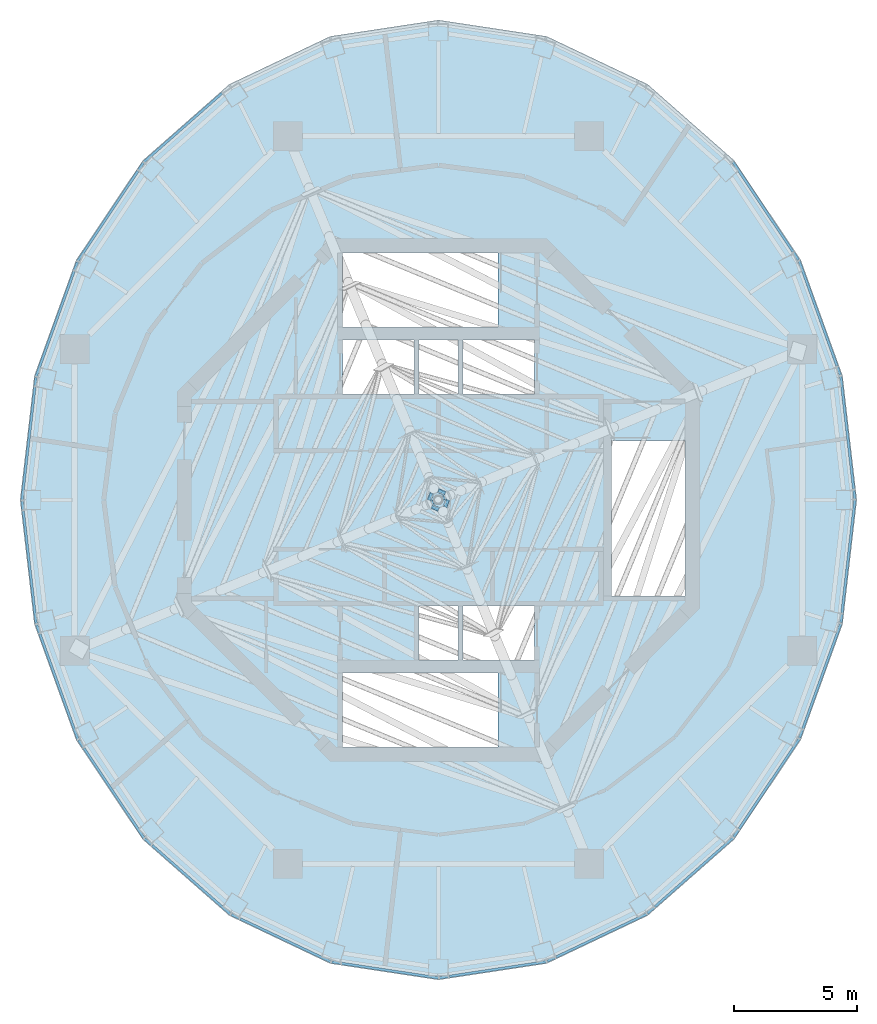
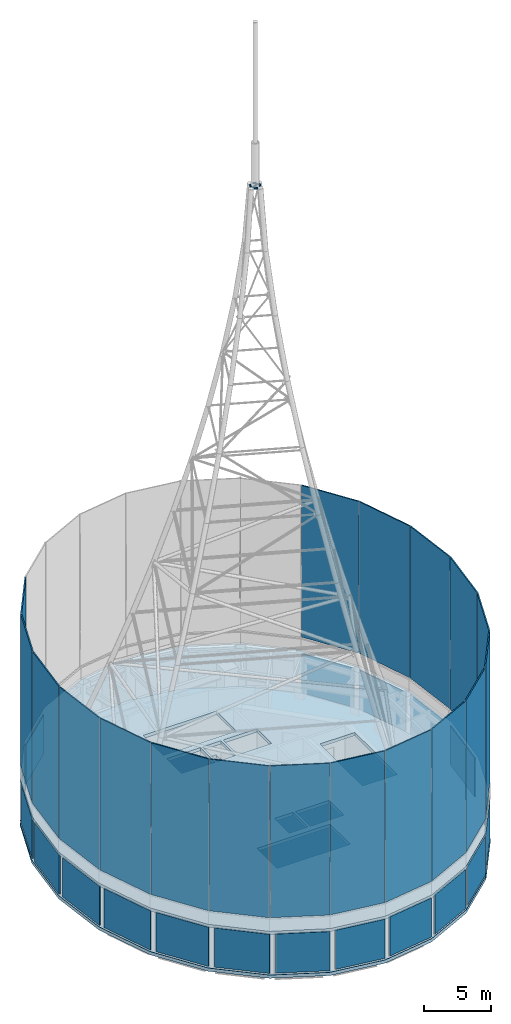
# One storey, part 20 of 25: 37 plates, 5 members, 2 slabs, 37 elements without a shape of their own.
"""IFC4 building model written with IfcOpenShell, lengths in metres."""

import ifcopenshell
import ifcopenshell.guid

model = None  # the IFC model being written
_history = None  # IfcOwnerHistory: only IFC2X3 demands one
_inside = {}  # id of a spatial element -> (the spatial element, [elements in it])
_under = {}  # id of a project, library or spatial element -> (it, [spatial elements below it])
_declared = {}  # id of a project -> (the project, [libraries it declares])
_typed = {}  # id of a type object -> (the type object, [elements of that type])
_made_of = {}  # id of a material, layer set ... -> (it, [elements and type objects made of it])


def new_model(schema):
    """Start an empty IFC model of exactly this schema.

    Asked for "IFC4X3", IfcOpenShell would pick the latest addendum, in which some entities
    have other attributes; the version numbers below select the first issue.
    IFC2X3 requires an IfcOwnerHistory on every rooted entity: one is made here for all.
    """
    global model, _history
    if schema == "IFC4X3":
        model = ifcopenshell.file(schema_version=(4, 3, 0, 0))
    else:
        model = ifcopenshell.file(schema=schema)
    _inside.clear()
    _under.clear()
    _declared.clear()
    _typed.clear()
    _made_of.clear()
    _history = None
    if model.schema == "IFC2X3":
        org = make("IfcOrganization", Name="unknown")
        user = make(
            "IfcPersonAndOrganization",
            ThePerson=make("IfcPerson", FamilyName="unknown"),
            TheOrganization=org,
        )
        app = make(
            "IfcApplication",
            ApplicationDeveloper=org,
            Version="unknown",
            ApplicationFullName="unknown",
            ApplicationIdentifier="unknown",
        )
        _history = make(
            "IfcOwnerHistory",
            OwningUser=user,
            OwningApplication=app,
            ChangeAction="ADDED",
            CreationDate=0,
        )
    return model


def make(cls, **values):
    """One entity of the class cls with the attributes given. An attribute that is None is left unset."""
    return model.create_entity(
        cls, **{name: value for name, value in values.items() if value is not None}
    )


def rooted(cls, **values):
    """An entity with a GlobalId (a new one), such as an element, a storey or a relation."""
    return make(cls, GlobalId=ifcopenshell.guid.new(), OwnerHistory=_history, **values)


def si_unit(unit_type, name, prefix=None):
    """IfcSIUnit, for example si_unit("LENGTHUNIT", "METRE", prefix="MILLI")."""
    return make("IfcSIUnit", UnitType=unit_type, Prefix=prefix, Name=name)


def assignment(units):
    """IfcUnitAssignment: the units of a project."""
    return None if units is None else make("IfcUnitAssignment", Units=units)


def point(xyz):
    """IfcCartesianPoint."""
    return None if xyz is None else make("IfcCartesianPoint", Coordinates=xyz)


def direction(xyz):
    """IfcDirection."""
    return None if xyz is None else make("IfcDirection", DirectionRatios=xyz)


def frame(location, z_axis=None, x_axis=None):
    """IfcAxis2Placement3D, a coordinate frame: its origin and axes. An axis left out is left unset."""
    return make(
        "IfcAxis2Placement3D",
        Location=point(location),
        Axis=direction(z_axis),
        RefDirection=direction(x_axis),
    )


def frame_2d(location, x_axis=None):
    """IfcAxis2Placement2D, a coordinate frame in the plane: its origin and x axis."""
    return make(
        "IfcAxis2Placement2D", Location=point(location), RefDirection=direction(x_axis)
    )


def origin():
    """The frame at (0, 0, 0) with its axes left unset."""
    return frame((0.0, 0.0, 0.0))


def origin_2d():
    """The frame at (0, 0) in the plane with its x axis left unset."""
    return frame_2d((0.0, 0.0))


def place(relative_to, where):
    """IfcLocalPlacement: puts the frame where relative to a parent placement (None: the world)."""
    return make(
        "IfcLocalPlacement", PlacementRelTo=relative_to, RelativePlacement=where
    )


def context(
    kind, dimensions, precision=None, world=None, true_north=None, identifier=None
):
    """IfcGeometricRepresentationContext, for example the 3D "Model" context."""
    return make(
        "IfcGeometricRepresentationContext",
        ContextIdentifier=identifier,
        ContextType=kind,
        CoordinateSpaceDimension=dimensions,
        Precision=precision,
        WorldCoordinateSystem=world,
        TrueNorth=true_north,
    )


def subcontext(parent, identifier, kind, view, scale=None):
    """IfcGeometricRepresentationSubContext, for example "Body" below "Model"."""
    return make(
        "IfcGeometricRepresentationSubContext",
        ContextIdentifier=identifier,
        ContextType=kind,
        ParentContext=parent,
        TargetScale=scale,
        TargetView=view,
    )


def project(units=None, contexts=None):
    """IfcProject with its units and contexts."""
    return rooted(
        "IfcProject",
        Name="project",
        RepresentationContexts=contexts,
        UnitsInContext=assignment(units),
    )


def spatial(cls, under=None, at=None, **own):
    """A site, building, storey or space (cls), placed at a placement, below another one or the project."""
    s = rooted(cls, ObjectPlacement=at, **own)
    if under is not None:
        _under.setdefault(under.id(), (under, []))[1].append(s)
    return s


def polyline(points):
    """IfcPolyline through the points."""
    return make("IfcPolyline", Points=[point(p) for p in points])


def profile(cls, at=None, kind="AREA", **sizes):
    """A parametric profile (cls). Its sizes go by their IFC names, for example OverallWidth=200.0."""
    return make(cls, ProfileType=kind, Position=at, **sizes)


def rectangle(**sizes):
    """IfcRectangleProfileDef."""
    return profile("IfcRectangleProfileDef", **sizes)


def hollow_circle(**sizes):
    """IfcCircleHollowProfileDef."""
    return profile("IfcCircleHollowProfileDef", **sizes)


def outline(outer, holes=None, kind="AREA"):
    """IfcArbitraryClosedProfileDef: a profile drawn as a closed curve; with holes, ...WithVoids."""
    if holes is None:
        return make("IfcArbitraryClosedProfileDef", ProfileType=kind, OuterCurve=outer)
    return make(
        "IfcArbitraryProfileDefWithVoids",
        ProfileType=kind,
        OuterCurve=outer,
        InnerCurves=holes,
    )


def extrude(swept, where, along, depth):
    """IfcExtrudedAreaSolid: the profile swept, set in the frame where, extruded along a direction by depth."""
    return make(
        "IfcExtrudedAreaSolid",
        SweptArea=swept,
        Position=where,
        ExtrudedDirection=direction(along),
        Depth=depth,
    )


def shape(context_of_items, identifier, shape_type, items):
    """IfcShapeRepresentation: the items that make up one representation, for example the "Body"."""
    return make(
        "IfcShapeRepresentation",
        ContextOfItems=context_of_items,
        RepresentationIdentifier=identifier,
        RepresentationType=shape_type,
        Items=items,
    )


def material(Name=None, Category=None):
    """IfcMaterial."""
    return make("IfcMaterial", Name=Name, Category=Category)


def layer(
    of_material, thickness, ventilated=None, Name=None, Category=None, Priority=None
):
    """IfcMaterialLayer: one layer of a wall or slab, of a material (None: an air gap)."""
    return make(
        "IfcMaterialLayer",
        Material=of_material,
        LayerThickness=thickness,
        IsVentilated=ventilated,
        Name=Name,
        Category=Category,
        Priority=Priority,
    )


def layer_set(layers, Name=None):
    """IfcMaterialLayerSet."""
    return make("IfcMaterialLayerSet", MaterialLayers=layers, LayerSetName=Name)


def material_profile(
    of_material, cross_section, Name=None, Category=None, Priority=None
):
    """IfcMaterialProfile: a cross section and its material."""
    return make(
        "IfcMaterialProfile",
        Name=Name,
        Material=of_material,
        Profile=cross_section,
        Priority=Priority,
        Category=Category,
    )


def profile_set(profiles, Name=None, composite=None):
    """IfcMaterialProfileSet."""
    return make(
        "IfcMaterialProfileSet",
        Name=Name,
        MaterialProfiles=profiles,
        CompositeProfile=composite,
    )


def made_of(thing, what):
    """Note that an element or type object is made of a material, layer set ...; save() writes the relation."""
    if what is not None:
        _made_of.setdefault(what.id(), (what, []))[1].append(thing)
    return thing


def type_object(cls, material=None, **own):
    """A type object (cls), such as IfcWallType, which elements share."""
    return made_of(rooted(cls, **own), material)


def element(
    cls,
    number,
    at=None,
    inside=None,
    cuts=None,
    type_object=None,
    material=None,
    context=None,
    identifier="Body",
    shape_type=None,
    held_by="IfcProductDefinitionShape",
    body=None,
    shapes=None,
    **own,
):
    """One element of the class cls, such as IfcWall. Its Tag is "e" and its number.

    at: its placement. inside: the storey or other place that contains it. cuts: it is an
    opening in that element (IfcRelVoidsElement). A single representation is given by context,
    identifier, shape_type and body (its items); several are given by shapes. held_by: the class
    of the entity that holds the representations. save() writes the other relations.
    """
    e = rooted(cls, Tag="e%d" % number, ObjectPlacement=at, **own)
    if body is not None:
        shapes = [shape(context, identifier, shape_type, body)]
    if shapes is not None:
        e.Representation = make(held_by, Representations=shapes)
    if inside is not None:
        _inside.setdefault(inside.id(), (inside, []))[1].append(e)
    if cuts is not None:
        rooted(
            "IfcRelVoidsElement", RelatingBuildingElement=cuts, RelatedOpeningElement=e
        )
    if type_object is not None:
        _typed.setdefault(type_object.id(), (type_object, []))[1].append(e)
    return made_of(e, material)


def aggregate(whole, parts):
    """IfcRelAggregates: a whole, such as a stair, and the parts it consists of."""
    return rooted("IfcRelAggregates", RelatingObject=whole, RelatedObjects=parts)


def save(model, path):
    """Write the relations noted so far, then the file.

    IfcRelAggregates (storeys below a building ...), IfcRelContainedInSpatialStructure (elements
    in a storey), IfcRelDefinesByType, IfcRelAssociatesMaterial and IfcRelDeclares: one each for
    every whole, place, type object, material and project.
    """
    for whole, parts in _under.values():
        aggregate(whole, parts)
    for where, things in _inside.values():
        rooted(
            "IfcRelContainedInSpatialStructure",
            RelatedElements=things,
            RelatingStructure=where,
        )
    for kind, things in _typed.values():
        rooted("IfcRelDefinesByType", RelatedObjects=things, RelatingType=kind)
    for what, things in _made_of.values():
        rooted("IfcRelAssociatesMaterial", RelatedObjects=things, RelatingMaterial=what)
    for by, libraries in _declared.values():
        rooted("IfcRelDeclares", RelatingContext=by, RelatedDefinitions=libraries)
    model.write(path)


model = new_model("IFC4")

# Units and contexts
model_context = context("Model", 3, precision=1e-05, world=origin(), true_north=direction((0.0, 1.0)))
body_context = subcontext(model_context, "Body", "Model", "MODEL_VIEW")
ifc_project = project(units=[si_unit("LENGTHUNIT", "METRE"), si_unit("AREAUNIT", "SQUARE_METRE"), si_unit("VOLUMEUNIT", "CUBIC_METRE"), si_unit("PLANEANGLEUNIT", "RADIAN"), si_unit("MASSUNIT", "GRAM", prefix="KILO")], contexts=[model_context])

# Site, building, storey
site_placement = place(None, origin())
site = spatial("IfcSite", under=ifc_project, at=site_placement, CompositionType="ELEMENT")
building_placement = place(site_placement, origin())
building = spatial("IfcBuilding", under=site, at=building_placement, Name="Nagisa Residences", CompositionType="ELEMENT")
storey_placement = place(building_placement, frame((0.0, 0.0, 340.89990234375)))
storey = spatial("IfcBuildingStorey", under=building, at=storey_placement, Name="L84", CompositionType="ELEMENT", Elevation=340.89990234375)

# Members
ifc_material_1 = material(Name="Steel ASTM A572 Gr 50", Category="steel")
ifc_material_profile = material_profile(ifc_material_1, hollow_circle(Radius=0.084228515625, WallThickness=0.00634765625, at=origin_2d()), Name="MAST RING CHS 168.3x6.3")
ifc_profile_set = profile_set([ifc_material_profile], Name="Steel ASTM A572 Gr 50")
member_type = type_object("IfcMemberType", Name="MAST RING CHS 168.3x6.3", PredefinedType="STRUT", material=ifc_profile_set)
for number, where, z_axis, x_axis, name in (
    (1, (0.277099609375, 0.270263671875, 59.0), (-0.923880226262, 0.382681757498, 0.0), (-0.382681757498, -0.923880226262, 0.0), "Mast ring 10 side 1"),
    (2, (-0.270263671875, 0.277099609375, 59.0), (-0.382681757498, -0.923880226262, 0.0), (0.923880226262, -0.382681757498, 0.0), "Mast ring 10 side 2"),
    (3, (-0.277099609375, -0.270263671875, 59.0), (0.923880226262, -0.382681757498, 0.0), (0.382681757498, 0.923880226262, 0.0), "Mast ring 10 side 3"),
    (4, (0.270263671875, -0.277099609375, 59.0), (0.382681757498, 0.923880226262, 0.0), (-0.923880226262, 0.382681757498, 0.0), "Mast ring 10 side 4"),
):
    element("IfcMember", number, at=place(storey_placement, frame(where, z_axis=z_axis, x_axis=x_axis)), inside=storey, type_object=member_type, Name=name, PredefinedType="STRUT", context=body_context, shape_type="SweptSolid", body=[
        extrude(hollow_circle(Radius=0.084228515625, WallThickness=0.00634765625, at=origin_2d()), origin(), (0.0, 0.0, 1.0), 0.304931640625),
    ])
member_placement = place(storey_placement, frame((0.277099609375, 0.11474609375, 59.0), z_axis=(-0.923917630863, -0.382591441855, 0.0), x_axis=(0.382591441855, -0.923917630863, 0.0)))
element("IfcMember", 5, at=member_placement, inside=storey, type_object=member_type, Name="Mast head strut", PredefinedType="STRUT", context=body_context, shape_type="SweptSolid", body=[
    extrude(hollow_circle(Radius=0.084228515625, WallThickness=0.00634765625, at=origin_2d()), origin(), (0.0, 0.0, 1.0), 0.599853515625),
])

# Curtain wall, plate
ifc_material_2 = material(Name="Aluminium curtain wall system", Category="aluminium")
ifc_layer_1 = layer(ifc_material_2, 0.159912109375)
ifc_layer_set_1 = layer_set([ifc_layer_1], Name="CW5 CURTAIN WALL")
curtain_wall_type = type_object("IfcCurtainWallType", Name="CW5 CURTAIN WALL", PredefinedType="NOTDEFINED", material=ifc_layer_set_1)
curtain_wall_1_placement = place(storey_placement, origin())
curtain_wall_1 = element("IfcCurtainWall", 6, at=curtain_wall_1_placement, inside=storey, type_object=curtain_wall_type, Name="cw:CW5:L84:00", PredefinedType="NOTDEFINED")
ifc_material_3 = material(Name="Aluminium louvre", Category="aluminium")
ifc_layer_2 = layer(ifc_material_3, 0.10009765625)
ifc_layer_set_2 = layer_set([ifc_layer_2], Name="CW5 LOUVRE PANEL")
plate_type = type_object("IfcPlateType", Name="CW5 LOUVRE PANEL", PredefinedType="CURTAIN_PANEL", material=ifc_layer_set_2)
plate_1_placement = place(storey_placement, frame((16.604736328125, 2.742919921875, 0.1201171875), z_axis=(0.0, 0.0, 1.0), x_axis=(-0.114025397474, 0.993477835048, 0.0)))
plate_1 = element("IfcPlate", 7, at=plate_1_placement, type_object=plate_type, Name="CW5 panel", PredefinedType="CURTAIN_PANEL", context=body_context, shape_type="SweptSolid", body=[
    extrude(rectangle(XDim=4.6201171875, YDim=0.10009765625, at=origin_2d()), origin(), (0.0, 0.0, 1.0), 3.580078125),
])
aggregate(curtain_wall_1, [plate_1])

curtain_wall_2_placement = place(storey_placement, origin())
curtain_wall_2 = element("IfcCurtainWall", 8, at=curtain_wall_2_placement, inside=storey, type_object=curtain_wall_type, Name="cw:CW5:L84:01", PredefinedType="NOTDEFINED")
plate_2_placement = place(storey_placement, frame((15.418212890625, 7.587646484375, 0.1201171875), z_axis=(0.0, 0.0, 1.0), x_axis=(-0.339642923136, 0.940554456033, 0.0)))
plate_2 = element("IfcPlate", 9, at=plate_2_placement, type_object=plate_type, Name="CW5 panel", PredefinedType="CURTAIN_PANEL", context=body_context, shape_type="SweptSolid", body=[
    extrude(rectangle(XDim=4.540283203125, YDim=0.10009765625, at=origin_2d()), origin(), (0.0, 0.0, 1.0), 3.580078125),
])
aggregate(curtain_wall_2, [plate_2])

curtain_wall_3_placement = place(storey_placement, origin())
curtain_wall_3 = element("IfcCurtainWall", 10, at=curtain_wall_3_placement, inside=storey, type_object=curtain_wall_type, Name="cw:CW5:L84:02", PredefinedType="NOTDEFINED")
plate_3_placement = place(storey_placement, frame((13.17724609375, 11.916015625, 0.1201171875), z_axis=(0.0, 0.0, 1.0), x_axis=(-0.556014393027, 0.831172662415, 0.0)))
plate_3 = element("IfcPlate", 11, at=plate_3_placement, type_object=plate_type, Name="CW5 panel", PredefinedType="CURTAIN_PANEL", context=body_context, shape_type="SweptSolid", body=[
    extrude(rectangle(XDim=4.39892578125, YDim=0.10009765625, at=origin_2d()), origin(), (0.0, 0.0, 1.0), 3.580078125),
])
aggregate(curtain_wall_3, [plate_3])

curtain_wall_4_placement = place(storey_placement, origin())
curtain_wall_4 = element("IfcCurtainWall", 12, at=curtain_wall_4_placement, inside=storey, type_object=curtain_wall_type, Name="cw:CW5:L84:08", PredefinedType="NOTDEFINED")
plate_4_placement = place(storey_placement, frame((-10.380126953125, 15.1259765625, 0.1201171875), z_axis=(0.0, 0.0, 1.0), x_axis=(-0.750650526795, -0.660699467703, 0.0)))
plate_4 = element("IfcPlate", 13, at=plate_4_placement, type_object=plate_type, Name="CW5 panel", PredefinedType="CURTAIN_PANEL", context=body_context, shape_type="SweptSolid", body=[
    extrude(rectangle(XDim=4.23046875, YDim=0.10009765625, at=origin_2d()), origin(), (0.0, 0.0, 1.0), 3.580078125),
])
aggregate(curtain_wall_4, [plate_4])

curtain_wall_5_placement = place(storey_placement, origin())
curtain_wall_5 = element("IfcCurtainWall", 14, at=curtain_wall_5_placement, inside=storey, type_object=curtain_wall_type, Name="cw:CW5:L84:09", PredefinedType="NOTDEFINED")
plate_5_placement = place(storey_placement, frame((-13.43310546875, 11.53369140625, 0.1201171875), z_axis=(0.0, 0.0, 1.0), x_axis=(-0.556014393027, -0.831172662415, 0.0)))
plate_5 = element("IfcPlate", 15, at=plate_5_placement, type_object=plate_type, Name="CW5 panel", PredefinedType="CURTAIN_PANEL", context=body_context, shape_type="SweptSolid", body=[
    extrude(rectangle(XDim=4.39892578125, YDim=0.10009765625, at=origin_2d()), origin(), (0.0, 0.0, 1.0), 3.580078125),
])
aggregate(curtain_wall_5, [plate_5])

curtain_wall_6_placement = place(storey_placement, origin())
curtain_wall_6 = element("IfcCurtainWall", 16, at=curtain_wall_6_placement, inside=storey, type_object=curtain_wall_type, Name="cw:CW5:L84:10", PredefinedType="NOTDEFINED")
plate_6_placement = place(storey_placement, frame((-15.574462890625, 7.155029296875, 0.1201171875), z_axis=(0.0, 0.0, 1.0), x_axis=(-0.339642923136, -0.940554456033, 0.0)))
plate_6 = element("IfcPlate", 17, at=plate_6_placement, type_object=plate_type, Name="CW5 panel", PredefinedType="CURTAIN_PANEL", context=body_context, shape_type="SweptSolid", body=[
    extrude(rectangle(XDim=4.540283203125, YDim=0.10009765625, at=origin_2d()), origin(), (0.0, 0.0, 1.0), 3.580078125),
])
aggregate(curtain_wall_6, [plate_6])

curtain_wall_7_placement = place(storey_placement, origin())
curtain_wall_7 = element("IfcCurtainWall", 18, at=curtain_wall_7_placement, inside=storey, type_object=curtain_wall_type, Name="cw:CW5:L84:11", PredefinedType="NOTDEFINED")
plate_7_placement = place(storey_placement, frame((-16.6572265625, 2.285888671875, 0.1201171875), z_axis=(0.0, 0.0, 1.0), x_axis=(-0.114025397474, -0.993477835048, 0.0)))
plate_7 = element("IfcPlate", 19, at=plate_7_placement, type_object=plate_type, Name="CW5 panel", PredefinedType="CURTAIN_PANEL", context=body_context, shape_type="SweptSolid", body=[
    extrude(rectangle(XDim=4.6201171875, YDim=0.10009765625, at=origin_2d()), origin(), (0.0, 0.0, 1.0), 3.580078125),
])
aggregate(curtain_wall_7, [plate_7])

curtain_wall_8_placement = place(storey_placement, origin())
curtain_wall_8 = element("IfcCurtainWall", 20, at=curtain_wall_8_placement, inside=storey, type_object=curtain_wall_type, Name="cw:CW5:L84:12", PredefinedType="NOTDEFINED")
plate_8_placement = place(storey_placement, frame((-16.604736328125, -2.742919921875, 0.1201171875), z_axis=(0.0, 0.0, 1.0), x_axis=(0.114025397474, -0.993477835048, 0.0)))
plate_8 = element("IfcPlate", 21, at=plate_8_placement, type_object=plate_type, Name="CW5 panel", PredefinedType="CURTAIN_PANEL", context=body_context, shape_type="SweptSolid", body=[
    extrude(rectangle(XDim=4.6201171875, YDim=0.10009765625, at=origin_2d()), origin(), (0.0, 0.0, 1.0), 3.580078125),
])
aggregate(curtain_wall_8, [plate_8])

curtain_wall_9_placement = place(storey_placement, origin())
curtain_wall_9 = element("IfcCurtainWall", 22, at=curtain_wall_9_placement, inside=storey, type_object=curtain_wall_type, Name="cw:CW5:L84:13", PredefinedType="NOTDEFINED")
plate_9_placement = place(storey_placement, frame((-15.418212890625, -7.587646484375, 0.1201171875), z_axis=(0.0, 0.0, 1.0), x_axis=(0.339642923136, -0.940554456033, 0.0)))
plate_9 = element("IfcPlate", 23, at=plate_9_placement, type_object=plate_type, Name="CW5 panel", PredefinedType="CURTAIN_PANEL", context=body_context, shape_type="SweptSolid", body=[
    extrude(rectangle(XDim=4.540283203125, YDim=0.10009765625, at=origin_2d()), origin(), (0.0, 0.0, 1.0), 3.580078125),
])
aggregate(curtain_wall_9, [plate_9])

curtain_wall_10_placement = place(storey_placement, origin())
curtain_wall_10 = element("IfcCurtainWall", 24, at=curtain_wall_10_placement, inside=storey, type_object=curtain_wall_type, Name="cw:CW5:L84:14", PredefinedType="NOTDEFINED")
plate_10_placement = place(storey_placement, frame((-13.17724609375, -11.916015625, 0.1201171875), z_axis=(0.0, 0.0, 1.0), x_axis=(0.556014393027, -0.831172662415, 0.0)))
plate_10 = element("IfcPlate", 25, at=plate_10_placement, type_object=plate_type, Name="CW5 panel", PredefinedType="CURTAIN_PANEL", context=body_context, shape_type="SweptSolid", body=[
    extrude(rectangle(XDim=4.39892578125, YDim=0.10009765625, at=origin_2d()), origin(), (0.0, 0.0, 1.0), 3.580078125),
])
aggregate(curtain_wall_10, [plate_10])

curtain_wall_11_placement = place(storey_placement, origin())
curtain_wall_11 = element("IfcCurtainWall", 26, at=curtain_wall_11_placement, inside=storey, type_object=curtain_wall_type, Name="cw:CW5:L84:15", PredefinedType="NOTDEFINED")
plate_11_placement = place(storey_placement, frame((-10.034912109375, -15.429931640625, 0.1201171875), z_axis=(0.0, 0.0, 1.0), x_axis=(0.750650526795, -0.660699467703, 0.0)))
plate_11 = element("IfcPlate", 27, at=plate_11_placement, type_object=plate_type, Name="CW5 panel", PredefinedType="CURTAIN_PANEL", context=body_context, shape_type="SweptSolid", body=[
    extrude(rectangle(XDim=4.23046875, YDim=0.10009765625, at=origin_2d()), origin(), (0.0, 0.0, 1.0), 3.580078125),
])
aggregate(curtain_wall_11, [plate_11])

curtain_wall_12_placement = place(storey_placement, origin())
curtain_wall_12 = element("IfcCurtainWall", 28, at=curtain_wall_12_placement, inside=storey, type_object=curtain_wall_type, Name="cw:CW5:L84:16", PredefinedType="NOTDEFINED")
plate_12_placement = place(storey_placement, frame((-6.2080078125, -17.887939453125, 0.1201171875), z_axis=(0.0, 0.0, 1.0), x_axis=(0.903232929992, -0.429150642757, 0.0)))
plate_12 = element("IfcPlate", 29, at=plate_12_placement, type_object=plate_type, Name="CW5 panel", PredefinedType="CURTAIN_PANEL", context=body_context, shape_type="SweptSolid", body=[
    extrude(rectangle(XDim=4.079345703125, YDim=0.10009765625, at=origin_2d()), origin(), (0.0, 0.0, 1.0), 3.580078125),
])
aggregate(curtain_wall_12, [plate_12])

curtain_wall_13_placement = place(storey_placement, origin())
curtain_wall_13 = element("IfcCurtainWall", 30, at=curtain_wall_13_placement, inside=storey, type_object=curtain_wall_type, Name="cw:CW5:L84:17", PredefinedType="NOTDEFINED")
plate_13_placement = place(storey_placement, frame((-1.960693359375, -19.123046875, 0.1201171875), z_axis=(0.0, 0.0, 1.0), x_axis=(0.988788904158, -0.149320135997, 0.0)))
plate_13 = element("IfcPlate", 31, at=plate_13_placement, type_object=plate_type, Name="CW5 panel", PredefinedType="CURTAIN_PANEL", context=body_context, shape_type="SweptSolid", body=[
    extrude(rectangle(XDim=3.98974609375, YDim=0.10009765625, at=origin_2d()), origin(), (0.0, 0.0, 1.0), 3.580078125),
])
aggregate(curtain_wall_13, [plate_13])

curtain_wall_14_placement = place(storey_placement, origin())
curtain_wall_14 = element("IfcCurtainWall", 32, at=curtain_wall_14_placement, inside=storey, type_object=curtain_wall_type, Name="cw:CW5:L84:18", PredefinedType="NOTDEFINED")
plate_14_placement = place(storey_placement, frame((2.41552734375, -19.054443359375, 0.1201171875), z_axis=(0.0, 0.0, 1.0), x_axis=(0.988788904158, 0.149320135997, 0.0)))
plate_14 = element("IfcPlate", 33, at=plate_14_placement, type_object=plate_type, Name="CW5 panel", PredefinedType="CURTAIN_PANEL", context=body_context, shape_type="SweptSolid", body=[
    extrude(rectangle(XDim=3.98974609375, YDim=0.10009765625, at=origin_2d()), origin(), (0.0, 0.0, 1.0), 3.580078125),
])
aggregate(curtain_wall_14, [plate_14])

curtain_wall_15_placement = place(storey_placement, origin())
curtain_wall_15 = element("IfcCurtainWall", 34, at=curtain_wall_15_placement, inside=storey, type_object=curtain_wall_type, Name="cw:CW5:L84:19", PredefinedType="NOTDEFINED")
plate_15_placement = place(storey_placement, frame((6.623291015625, -17.690673828125, 0.1201171875), z_axis=(0.0, 0.0, 1.0), x_axis=(0.903232929992, 0.429150642757, 0.0)))
plate_15 = element("IfcPlate", 35, at=plate_15_placement, type_object=plate_type, Name="CW5 panel", PredefinedType="CURTAIN_PANEL", context=body_context, shape_type="SweptSolid", body=[
    extrude(rectangle(XDim=4.079345703125, YDim=0.10009765625, at=origin_2d()), origin(), (0.0, 0.0, 1.0), 3.580078125),
])
aggregate(curtain_wall_15, [plate_15])

curtain_wall_16_placement = place(storey_placement, origin())
curtain_wall_16 = element("IfcCurtainWall", 36, at=curtain_wall_16_placement, inside=storey, type_object=curtain_wall_type, Name="cw:CW5:L84:20", PredefinedType="NOTDEFINED")
plate_16_placement = place(storey_placement, frame((10.380126953125, -15.1259765625, 0.1201171875), z_axis=(0.0, 0.0, 1.0), x_axis=(0.750650526795, 0.660699467703, 0.0)))
plate_16 = element("IfcPlate", 37, at=plate_16_placement, type_object=plate_type, Name="CW5 panel", PredefinedType="CURTAIN_PANEL", context=body_context, shape_type="SweptSolid", body=[
    extrude(rectangle(XDim=4.23046875, YDim=0.10009765625, at=origin_2d()), origin(), (0.0, 0.0, 1.0), 3.580078125),
])
aggregate(curtain_wall_16, [plate_16])

curtain_wall_17_placement = place(storey_placement, origin())
curtain_wall_17 = element("IfcCurtainWall", 38, at=curtain_wall_17_placement, inside=storey, type_object=curtain_wall_type, Name="cw:CW5:L84:21", PredefinedType="NOTDEFINED")
plate_17_placement = place(storey_placement, frame((13.43310546875, -11.53369140625, 0.1201171875), z_axis=(0.0, 0.0, 1.0), x_axis=(0.556014393027, 0.831172662415, 0.0)))
plate_17 = element("IfcPlate", 39, at=plate_17_placement, type_object=plate_type, Name="CW5 panel", PredefinedType="CURTAIN_PANEL", context=body_context, shape_type="SweptSolid", body=[
    extrude(rectangle(XDim=4.39892578125, YDim=0.10009765625, at=origin_2d()), origin(), (0.0, 0.0, 1.0), 3.580078125),
])
aggregate(curtain_wall_17, [plate_17])

curtain_wall_18_placement = place(storey_placement, origin())
curtain_wall_18 = element("IfcCurtainWall", 40, at=curtain_wall_18_placement, inside=storey, type_object=curtain_wall_type, Name="cw:CW5:L84:22", PredefinedType="NOTDEFINED")
plate_18_placement = place(storey_placement, frame((15.574462890625, -7.155029296875, 0.1201171875), z_axis=(0.0, 0.0, 1.0), x_axis=(0.339642923136, 0.940554456033, 0.0)))
plate_18 = element("IfcPlate", 41, at=plate_18_placement, type_object=plate_type, Name="CW5 panel", PredefinedType="CURTAIN_PANEL", context=body_context, shape_type="SweptSolid", body=[
    extrude(rectangle(XDim=4.540283203125, YDim=0.10009765625, at=origin_2d()), origin(), (0.0, 0.0, 1.0), 3.580078125),
])
aggregate(curtain_wall_18, [plate_18])

curtain_wall_19_placement = place(storey_placement, origin())
curtain_wall_19 = element("IfcCurtainWall", 42, at=curtain_wall_19_placement, inside=storey, type_object=curtain_wall_type, Name="cw:CW5:L84:23", PredefinedType="NOTDEFINED")
plate_19_placement = place(storey_placement, frame((16.6572265625, -2.285888671875, 0.1201171875), z_axis=(0.0, 0.0, 1.0), x_axis=(0.114025397474, 0.993477835048, 0.0)))
plate_19 = element("IfcPlate", 43, at=plate_19_placement, type_object=plate_type, Name="CW5 panel", PredefinedType="CURTAIN_PANEL", context=body_context, shape_type="SweptSolid", body=[
    extrude(rectangle(XDim=4.6201171875, YDim=0.10009765625, at=origin_2d()), origin(), (0.0, 0.0, 1.0), 3.580078125),
])
aggregate(curtain_wall_19, [plate_19])

curtain_wall_20_placement = place(storey_placement, origin())
curtain_wall_20 = element("IfcCurtainWall", 44, at=curtain_wall_20_placement, inside=storey, type_object=curtain_wall_type, Name="cw:CW5:L84:top0:00", PredefinedType="NOTDEFINED")
plate_20_placement = place(storey_placement, frame((16.62744140625, 2.544189453125, 5.22021484375), z_axis=(0.0, 0.0, 1.0), x_axis=(-0.114025397474, 0.993477835048, 0.0)))
plate_20 = element("IfcPlate", 45, at=plate_20_placement, type_object=plate_type, Name="CW5 panel", PredefinedType="CURTAIN_PANEL", context=body_context, shape_type="SweptSolid", body=[
    extrude(rectangle(XDim=5.02001953125, YDim=0.10009765625, at=origin_2d()), origin(), (0.0, 0.0, 1.0), 13.8798828125),
])
aggregate(curtain_wall_20, [plate_20])

curtain_wall_21_placement = place(storey_placement, origin())
curtain_wall_21 = element("IfcCurtainWall", 46, at=curtain_wall_21_placement, inside=storey, type_object=curtain_wall_type, Name="cw:CW5:L84:top0:01", PredefinedType="NOTDEFINED")
plate_21_placement = place(storey_placement, frame((15.486083984375, 7.3994140625, 5.22021484375), z_axis=(0.0, 0.0, 1.0), x_axis=(-0.339642923136, 0.940554456033, 0.0)))
plate_21 = element("IfcPlate", 47, at=plate_21_placement, type_object=plate_type, Name="CW5 panel", PredefinedType="CURTAIN_PANEL", context=body_context, shape_type="SweptSolid", body=[
    extrude(rectangle(XDim=4.940185546875, YDim=0.10009765625, at=origin_2d()), origin(), (0.0, 0.0, 1.0), 13.8798828125),
])
aggregate(curtain_wall_21, [plate_21])

curtain_wall_22_placement = place(storey_placement, origin())
curtain_wall_22 = element("IfcCurtainWall", 48, at=curtain_wall_22_placement, inside=storey, type_object=curtain_wall_type, Name="cw:CW5:L84:top0:02", PredefinedType="NOTDEFINED")
plate_22_placement = place(storey_placement, frame((13.288330078125, 11.749755859375, 5.22021484375), z_axis=(0.0, 0.0, 1.0), x_axis=(-0.556014393027, 0.831172662415, 0.0)))
plate_22 = element("IfcPlate", 49, at=plate_22_placement, type_object=plate_type, Name="CW5 panel", PredefinedType="CURTAIN_PANEL", context=body_context, shape_type="SweptSolid", body=[
    extrude(rectangle(XDim=4.798828125, YDim=0.10009765625, at=origin_2d()), origin(), (0.0, 0.0, 1.0), 13.8798828125),
])
aggregate(curtain_wall_22, [plate_22])

curtain_wall_23_placement = place(storey_placement, origin())
curtain_wall_23 = element("IfcCurtainWall", 50, at=curtain_wall_23_placement, inside=storey, type_object=curtain_wall_type, Name="cw:CW5:L84:top0:09", PredefinedType="NOTDEFINED")
plate_23_placement = place(storey_placement, frame((-13.32177734375, 11.699951171875, 5.22021484375), z_axis=(0.0, 0.0, 1.0), x_axis=(-0.556014393027, -0.831172662415, 0.0)))
plate_23 = element("IfcPlate", 51, at=plate_23_placement, type_object=plate_type, Name="CW5 panel", PredefinedType="CURTAIN_PANEL", context=body_context, shape_type="SweptSolid", body=[
    extrude(rectangle(XDim=4.798828125, YDim=0.10009765625, at=origin_2d()), origin(), (0.0, 0.0, 1.0), 13.8798828125),
])
aggregate(curtain_wall_23, [plate_23])

curtain_wall_24_placement = place(storey_placement, origin())
curtain_wall_24 = element("IfcCurtainWall", 52, at=curtain_wall_24_placement, inside=storey, type_object=curtain_wall_type, Name="cw:CW5:L84:top0:10", PredefinedType="NOTDEFINED")
plate_24_placement = place(storey_placement, frame((-15.506591796875, 7.343017578125, 5.22021484375), z_axis=(0.0, 0.0, 1.0), x_axis=(-0.339642923136, -0.940554456033, 0.0)))
plate_24 = element("IfcPlate", 53, at=plate_24_placement, type_object=plate_type, Name="CW5 panel", PredefinedType="CURTAIN_PANEL", context=body_context, shape_type="SweptSolid", body=[
    extrude(rectangle(XDim=4.940185546875, YDim=0.10009765625, at=origin_2d()), origin(), (0.0, 0.0, 1.0), 13.8798828125),
])
aggregate(curtain_wall_24, [plate_24])

curtain_wall_25_placement = place(storey_placement, origin())
curtain_wall_25 = element("IfcCurtainWall", 54, at=curtain_wall_25_placement, inside=storey, type_object=curtain_wall_type, Name="cw:CW5:L84:top0:11", PredefinedType="NOTDEFINED")
plate_25_placement = place(storey_placement, frame((-16.63427734375, 2.484619140625, 5.22021484375), z_axis=(0.0, 0.0, 1.0), x_axis=(-0.114025397474, -0.993477835048, 0.0)))
plate_25 = element("IfcPlate", 55, at=plate_25_placement, type_object=plate_type, Name="CW5 panel", PredefinedType="CURTAIN_PANEL", context=body_context, shape_type="SweptSolid", body=[
    extrude(rectangle(XDim=5.02001953125, YDim=0.10009765625, at=origin_2d()), origin(), (0.0, 0.0, 1.0), 13.8798828125),
])
aggregate(curtain_wall_25, [plate_25])

curtain_wall_26_placement = place(storey_placement, origin())
curtain_wall_26 = element("IfcCurtainWall", 56, at=curtain_wall_26_placement, inside=storey, type_object=curtain_wall_type, Name="cw:CW5:L84:top0:12", PredefinedType="NOTDEFINED")
plate_26_placement = place(storey_placement, frame((-16.62744140625, -2.544189453125, 5.22021484375), z_axis=(0.0, 0.0, 1.0), x_axis=(0.114025397474, -0.993477835048, 0.0)))
plate_26 = element("IfcPlate", 57, at=plate_26_placement, type_object=plate_type, Name="CW5 panel", PredefinedType="CURTAIN_PANEL", context=body_context, shape_type="SweptSolid", body=[
    extrude(rectangle(XDim=5.02001953125, YDim=0.10009765625, at=origin_2d()), origin(), (0.0, 0.0, 1.0), 13.8798828125),
])
aggregate(curtain_wall_26, [plate_26])

curtain_wall_27_placement = place(storey_placement, origin())
curtain_wall_27 = element("IfcCurtainWall", 58, at=curtain_wall_27_placement, inside=storey, type_object=curtain_wall_type, Name="cw:CW5:L84:top0:13", PredefinedType="NOTDEFINED")
plate_27_placement = place(storey_placement, frame((-15.486083984375, -7.3994140625, 5.22021484375), z_axis=(0.0, 0.0, 1.0), x_axis=(0.339642923136, -0.940554456033, 0.0)))
plate_27 = element("IfcPlate", 59, at=plate_27_placement, type_object=plate_type, Name="CW5 panel", PredefinedType="CURTAIN_PANEL", context=body_context, shape_type="SweptSolid", body=[
    extrude(rectangle(XDim=4.940185546875, YDim=0.10009765625, at=origin_2d()), origin(), (0.0, 0.0, 1.0), 13.8798828125),
])
aggregate(curtain_wall_27, [plate_27])

curtain_wall_28_placement = place(storey_placement, origin())
curtain_wall_28 = element("IfcCurtainWall", 60, at=curtain_wall_28_placement, inside=storey, type_object=curtain_wall_type, Name="cw:CW5:L84:top0:14", PredefinedType="NOTDEFINED")
plate_28_placement = place(storey_placement, frame((-13.288330078125, -11.749755859375, 5.22021484375), z_axis=(0.0, 0.0, 1.0), x_axis=(0.556014393027, -0.831172662415, 0.0)))
plate_28 = element("IfcPlate", 61, at=plate_28_placement, type_object=plate_type, Name="CW5 panel", PredefinedType="CURTAIN_PANEL", context=body_context, shape_type="SweptSolid", body=[
    extrude(rectangle(XDim=4.798828125, YDim=0.10009765625, at=origin_2d()), origin(), (0.0, 0.0, 1.0), 13.8798828125),
])
aggregate(curtain_wall_28, [plate_28])

curtain_wall_29_placement = place(storey_placement, origin())
curtain_wall_29 = element("IfcCurtainWall", 62, at=curtain_wall_29_placement, inside=storey, type_object=curtain_wall_type, Name="cw:CW5:L84:top0:15", PredefinedType="NOTDEFINED")
plate_29_placement = place(storey_placement, frame((-10.18505859375, -15.2978515625, 5.22021484375), z_axis=(0.0, 0.0, 1.0), x_axis=(0.750650526795, -0.660699467703, 0.0)))
plate_29 = element("IfcPlate", 63, at=plate_29_placement, type_object=plate_type, Name="CW5 panel", PredefinedType="CURTAIN_PANEL", context=body_context, shape_type="SweptSolid", body=[
    extrude(rectangle(XDim=4.63037109375, YDim=0.10009765625, at=origin_2d()), origin(), (0.0, 0.0, 1.0), 13.8798828125),
])
aggregate(curtain_wall_29, [plate_29])

curtain_wall_30_placement = place(storey_placement, origin())
curtain_wall_30 = element("IfcCurtainWall", 64, at=curtain_wall_30_placement, inside=storey, type_object=curtain_wall_type, Name="cw:CW5:L84:top0:16", PredefinedType="NOTDEFINED")
plate_30_placement = place(storey_placement, frame((-6.388427734375, -17.80224609375, 5.22021484375), z_axis=(0.0, 0.0, 1.0), x_axis=(0.903232929992, -0.429150642757, 0.0)))
plate_30 = element("IfcPlate", 65, at=plate_30_placement, type_object=plate_type, Name="CW5 panel", PredefinedType="CURTAIN_PANEL", context=body_context, shape_type="SweptSolid", body=[
    extrude(rectangle(XDim=4.479248046875, YDim=0.10009765625, at=origin_2d()), origin(), (0.0, 0.0, 1.0), 13.8798828125),
])
aggregate(curtain_wall_30, [plate_30])

curtain_wall_31_placement = place(storey_placement, origin())
curtain_wall_31 = element("IfcCurtainWall", 66, at=curtain_wall_31_placement, inside=storey, type_object=curtain_wall_type, Name="cw:CW5:L84:top0:17", PredefinedType="NOTDEFINED")
plate_31_placement = place(storey_placement, frame((-2.158447265625, -19.09326171875, 5.22021484375), z_axis=(0.0, 0.0, 1.0), x_axis=(0.988788904158, -0.149320135997, 0.0)))
plate_31 = element("IfcPlate", 67, at=plate_31_placement, type_object=plate_type, Name="CW5 panel", PredefinedType="CURTAIN_PANEL", context=body_context, shape_type="SweptSolid", body=[
    extrude(rectangle(XDim=4.389892578125, YDim=0.10009765625, at=origin_2d()), origin(), (0.0, 0.0, 1.0), 13.8798828125),
])
aggregate(curtain_wall_31, [plate_31])

curtain_wall_32_placement = place(storey_placement, origin())
curtain_wall_32 = element("IfcCurtainWall", 68, at=curtain_wall_32_placement, inside=storey, type_object=curtain_wall_type, Name="cw:CW5:L84:top0:18", PredefinedType="NOTDEFINED")
plate_32_placement = place(storey_placement, frame((2.2177734375, -19.084228515625, 5.22021484375), z_axis=(0.0, 0.0, 1.0), x_axis=(0.988788904158, 0.149320135997, 0.0)))
plate_32 = element("IfcPlate", 69, at=plate_32_placement, type_object=plate_type, Name="CW5 panel", PredefinedType="CURTAIN_PANEL", context=body_context, shape_type="SweptSolid", body=[
    extrude(rectangle(XDim=4.389892578125, YDim=0.10009765625, at=origin_2d()), origin(), (0.0, 0.0, 1.0), 13.8798828125),
])
aggregate(curtain_wall_32, [plate_32])

curtain_wall_33_placement = place(storey_placement, origin())
curtain_wall_33 = element("IfcCurtainWall", 70, at=curtain_wall_33_placement, inside=storey, type_object=curtain_wall_type, Name="cw:CW5:L84:top0:19", PredefinedType="NOTDEFINED")
plate_33_placement = place(storey_placement, frame((6.442626953125, -17.7763671875, 5.22021484375), z_axis=(0.0, 0.0, 1.0), x_axis=(0.903232929992, 0.429150642757, 0.0)))
plate_33 = element("IfcPlate", 71, at=plate_33_placement, type_object=plate_type, Name="CW5 panel", PredefinedType="CURTAIN_PANEL", context=body_context, shape_type="SweptSolid", body=[
    extrude(rectangle(XDim=4.479248046875, YDim=0.10009765625, at=origin_2d()), origin(), (0.0, 0.0, 1.0), 13.8798828125),
])
aggregate(curtain_wall_33, [plate_33])

curtain_wall_34_placement = place(storey_placement, origin())
curtain_wall_34 = element("IfcCurtainWall", 72, at=curtain_wall_34_placement, inside=storey, type_object=curtain_wall_type, Name="cw:CW5:L84:top0:20", PredefinedType="NOTDEFINED")
plate_34_placement = place(storey_placement, frame((10.22998046875, -15.258056640625, 5.22021484375), z_axis=(0.0, 0.0, 1.0), x_axis=(0.750650526795, 0.660699467703, 0.0)))
plate_34 = element("IfcPlate", 73, at=plate_34_placement, type_object=plate_type, Name="CW5 panel", PredefinedType="CURTAIN_PANEL", context=body_context, shape_type="SweptSolid", body=[
    extrude(rectangle(XDim=4.63037109375, YDim=0.10009765625, at=origin_2d()), origin(), (0.0, 0.0, 1.0), 13.8798828125),
])
aggregate(curtain_wall_34, [plate_34])

curtain_wall_35_placement = place(storey_placement, origin())
curtain_wall_35 = element("IfcCurtainWall", 74, at=curtain_wall_35_placement, inside=storey, type_object=curtain_wall_type, Name="cw:CW5:L84:top0:21", PredefinedType="NOTDEFINED")
plate_35_placement = place(storey_placement, frame((13.32177734375, -11.699951171875, 5.22021484375), z_axis=(0.0, 0.0, 1.0), x_axis=(0.556014393027, 0.831172662415, 0.0)))
plate_35 = element("IfcPlate", 75, at=plate_35_placement, type_object=plate_type, Name="CW5 panel", PredefinedType="CURTAIN_PANEL", context=body_context, shape_type="SweptSolid", body=[
    extrude(rectangle(XDim=4.798828125, YDim=0.10009765625, at=origin_2d()), origin(), (0.0, 0.0, 1.0), 13.8798828125),
])
aggregate(curtain_wall_35, [plate_35])

curtain_wall_36_placement = place(storey_placement, origin())
curtain_wall_36 = element("IfcCurtainWall", 76, at=curtain_wall_36_placement, inside=storey, type_object=curtain_wall_type, Name="cw:CW5:L84:top0:22", PredefinedType="NOTDEFINED")
plate_36_placement = place(storey_placement, frame((15.506591796875, -7.343017578125, 5.22021484375), z_axis=(0.0, 0.0, 1.0), x_axis=(0.339642923136, 0.940554456033, 0.0)))
plate_36 = element("IfcPlate", 77, at=plate_36_placement, type_object=plate_type, Name="CW5 panel", PredefinedType="CURTAIN_PANEL", context=body_context, shape_type="SweptSolid", body=[
    extrude(rectangle(XDim=4.940185546875, YDim=0.10009765625, at=origin_2d()), origin(), (0.0, 0.0, 1.0), 13.8798828125),
])
aggregate(curtain_wall_36, [plate_36])

curtain_wall_37_placement = place(storey_placement, origin())
curtain_wall_37 = element("IfcCurtainWall", 78, at=curtain_wall_37_placement, inside=storey, type_object=curtain_wall_type, Name="cw:CW5:L84:top0:23", PredefinedType="NOTDEFINED")
plate_37_placement = place(storey_placement, frame((16.63427734375, -2.484619140625, 5.22021484375), z_axis=(0.0, 0.0, 1.0), x_axis=(0.114025397474, 0.993477835048, 0.0)))
plate_37 = element("IfcPlate", 79, at=plate_37_placement, type_object=plate_type, Name="CW5 panel", PredefinedType="CURTAIN_PANEL", context=body_context, shape_type="SweptSolid", body=[
    extrude(rectangle(XDim=5.02001953125, YDim=0.10009765625, at=origin_2d()), origin(), (0.0, 0.0, 1.0), 13.8798828125),
])
aggregate(curtain_wall_37, [plate_37])

# Slabs
ifc_material_4 = material(Name="Concrete C40", Category="concrete")
ifc_layer_3 = layer(ifc_material_4, 0.300048828125)
ifc_layer_set_3 = layer_set([ifc_layer_3], Name="Floor slab 300")
slab_type_1 = type_object("IfcSlabType", Name="Floor slab 300", PredefinedType="FLOOR", material=ifc_layer_set_3)
slab_1_placement = place(storey_placement, frame((0.0, 0.0, -0.2998046875)))
element("IfcSlab", 80, at=slab_1_placement, inside=storey, type_object=slab_type_1, Name="slab:L84:floor", PredefinedType="FLOOR", context=body_context, shape_type="SweptSolid", body=[
    extrude(outline(polyline([(17.0, 0.0), (16.420654296875, 5.046875), (14.722412109375, 9.75), (12.020751953125, 13.78857421875), (8.5, 16.887451171875), (4.39990234375, 18.83544921875), (0.0, 19.5), (-4.39990234375, 18.83544921875), (-8.5, 16.887451171875), (-12.020751953125, 13.78857421875), (-14.722412109375, 9.75), (-16.420654296875, 5.046875), (-17.0, 0.0), (-16.420654296875, -5.046875), (-14.722412109375, -9.75), (-12.020751953125, -13.78857421875), (-8.5, -16.887451171875), (-4.39990234375, -18.83544921875), (0.0, -19.5), (4.39990234375, -18.83544921875), (8.5, -16.887451171875), (12.020751953125, -13.78857421875), (14.722412109375, -9.75), (16.420654296875, -5.046875), (17.0, 0.0)]), holes=[polyline([(3.89990234375, 4.300048828125), (3.89990234375, 6.5), (1.0, 6.5), (1.0, 4.300048828125), (3.89990234375, 4.300048828125)]), polyline([(3.89990234375, -6.5), (3.89990234375, -4.300048828125), (1.0, -4.300048828125), (1.0, -6.5), (3.89990234375, -6.5)]), polyline([(-1.0, 4.300048828125), (-1.0, 6.5), (-3.89990234375, 6.5), (-3.89990234375, 4.300048828125), (-1.0, 4.300048828125)]), polyline([(0.800048828125, 4.300048828125), (0.800048828125, 6.5), (-0.800048828125, 6.5), (-0.800048828125, 4.300048828125), (0.800048828125, 4.300048828125)]), polyline([(0.800048828125, -6.5), (0.800048828125, -4.300048828125), (-0.800048828125, -4.300048828125), (-0.800048828125, -6.5), (0.800048828125, -6.5)]), polyline([(10.024658203125, -3.89990234375), (7.024658203125, -3.89990234375), (7.024658203125, 2.425048828125), (10.024658203125, 2.425048828125), (10.024658203125, -3.89990234375)]), polyline([(-3.89990234375, 7.024658203125), (-3.89990234375, 10.024658203125), (2.425048828125, 10.024658203125), (2.425048828125, 7.024658203125), (-3.89990234375, 7.024658203125)]), polyline([(-3.89990234375, -10.024658203125), (-3.89990234375, -7.024658203125), (2.425048828125, -7.024658203125), (2.425048828125, -10.024658203125), (-3.89990234375, -10.024658203125)])]), origin(), (0.0, 0.0, 1.0), 0.2998046875),
])
ifc_material_5 = material(Name="Concrete C40", Category="concrete")
ifc_layer_4 = layer(ifc_material_5, 0.300048828125)
ifc_layer_set_4 = layer_set([ifc_layer_4], Name="Roof slab 300")
slab_type_2 = type_object("IfcSlabType", Name="Roof slab 300", PredefinedType="ROOF", material=ifc_layer_set_4)
slab_2_placement = place(storey_placement, frame((0.0, 0.0, 3.7001953125)))
element("IfcSlab", 81, at=slab_2_placement, inside=storey, type_object=slab_type_2, Name="slab:L84:roof", PredefinedType="ROOF", context=body_context, shape_type="SweptSolid", body=[
    extrude(outline(polyline([(17.0, 0.0), (16.420654296875, 5.046875), (14.722412109375, 9.75), (12.020751953125, 13.78857421875), (8.5, 16.887451171875), (4.39990234375, 18.83544921875), (0.0, 19.5), (-4.39990234375, 18.83544921875), (-8.5, 16.887451171875), (-12.020751953125, 13.78857421875), (-14.722412109375, 9.75), (-16.420654296875, 5.046875), (-17.0, 0.0), (-16.420654296875, -5.046875), (-14.722412109375, -9.75), (-12.020751953125, -13.78857421875), (-8.5, -16.887451171875), (-4.39990234375, -18.83544921875), (0.0, -19.5), (4.39990234375, -18.83544921875), (8.5, -16.887451171875), (12.020751953125, -13.78857421875), (14.722412109375, -9.75), (16.420654296875, -5.046875), (17.0, 0.0)]), holes=[polyline([(3.89990234375, 4.300048828125), (3.89990234375, 6.5), (1.0, 6.5), (1.0, 4.300048828125), (3.89990234375, 4.300048828125)]), polyline([(3.89990234375, -6.5), (3.89990234375, -4.300048828125), (1.0, -4.300048828125), (1.0, -6.5), (3.89990234375, -6.5)]), polyline([(-1.0, 4.300048828125), (-1.0, 6.5), (-3.89990234375, 6.5), (-3.89990234375, 4.300048828125), (-1.0, 4.300048828125)]), polyline([(0.800048828125, 4.300048828125), (0.800048828125, 6.5), (-0.800048828125, 6.5), (-0.800048828125, 4.300048828125), (0.800048828125, 4.300048828125)]), polyline([(0.800048828125, -6.5), (0.800048828125, -4.300048828125), (-0.800048828125, -4.300048828125), (-0.800048828125, -6.5), (0.800048828125, -6.5)]), polyline([(10.024658203125, -3.89990234375), (7.024658203125, -3.89990234375), (7.024658203125, 2.425048828125), (10.024658203125, 2.425048828125), (10.024658203125, -3.89990234375)]), polyline([(-3.89990234375, 7.024658203125), (-3.89990234375, 10.024658203125), (2.425048828125, 10.024658203125), (2.425048828125, 7.024658203125), (-3.89990234375, 7.024658203125)]), polyline([(-3.89990234375, -10.024658203125), (-3.89990234375, -7.024658203125), (2.425048828125, -7.024658203125), (2.425048828125, -10.024658203125), (-3.89990234375, -10.024658203125)])]), origin(), (0.0, 0.0, 1.0), 0.2998046875),
])

save(model, "model.ifc")
